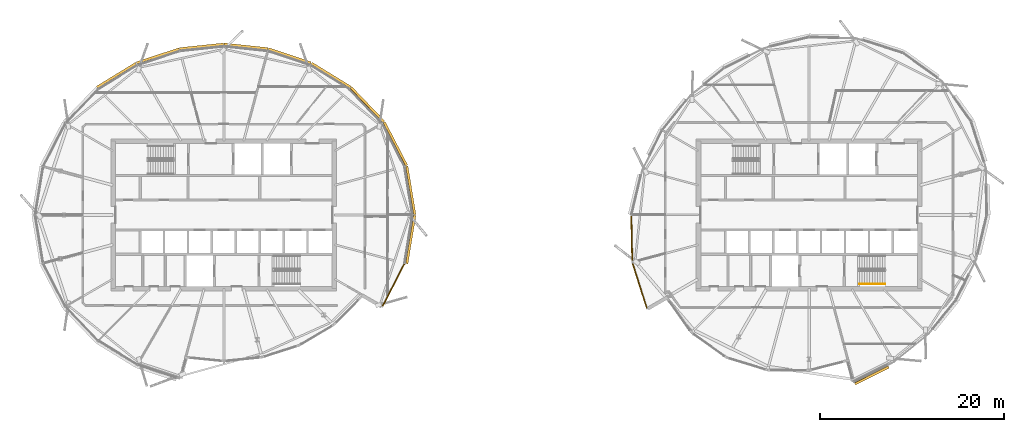
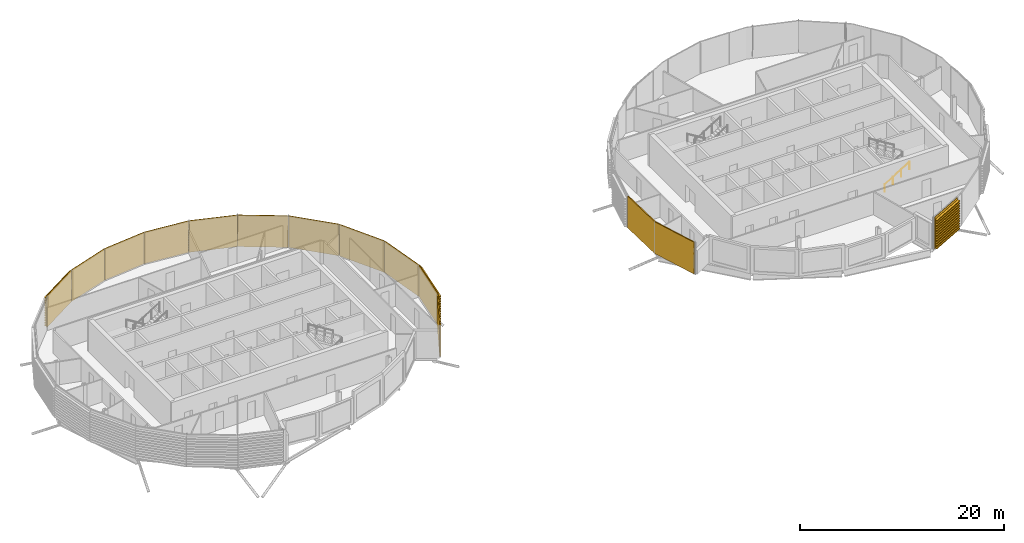
# One storey, part 31 of 33: 13 coverings, 1 railing.
"""IFC4 building model written with IfcOpenShell, lengths in metres."""

from ifc_helpers import new_model, si_unit, direction, frame, origin, origin_2d, place, context, subcontext, project, spatial, polyline, circle, outline, extrude, material, layer, layer_set, material_profile, profile_set, type_object, element, save


model = new_model("IFC4")

# Units and contexts
model_context = context("Model", 3, precision=1e-05, world=origin(), true_north=direction((0.0, 1.0)))
body_context = subcontext(model_context, "Body", "Model", "MODEL_VIEW")
ifc_project = project(units=[si_unit("LENGTHUNIT", "METRE"), si_unit("AREAUNIT", "SQUARE_METRE"), si_unit("VOLUMEUNIT", "CUBIC_METRE"), si_unit("PLANEANGLEUNIT", "RADIAN"), si_unit("MASSUNIT", "GRAM", prefix="KILO")], contexts=[model_context])

# Site, building, storey
site_placement = place(None, origin())
site = spatial("IfcSite", under=ifc_project, at=site_placement, CompositionType="ELEMENT")
building_placement = place(site_placement, origin())
building = spatial("IfcBuilding", under=site, at=building_placement, Name="Rimbun Link Towers", CompositionType="ELEMENT")
storey_placement = place(building_placement, frame((0.0, 0.0, 240.89990234375)))
storey = spatial("IfcBuildingStorey", under=building, at=storey_placement, Name="L59", CompositionType="ELEMENT", Elevation=240.89990234375)

# Coverings
ifc_material_1 = material(Name="Terracotta", Category="masonry")
ifc_layer = layer(ifc_material_1, 0.1201171875)
ifc_layer_set = layer_set([ifc_layer], Name="LINK PIER terracotta cladding 120")
covering_type_1 = type_object("IfcCoveringType", Name="LINK PIER terracotta cladding 120", PredefinedType="CLADDING", material=ifc_layer_set)
covering_1_placement = place(storey_placement, origin())
element("IfcCovering", 1, at=covering_1_placement, inside=storey, type_object=covering_type_1, Name="LINK PIER cladding", PredefinedType="CLADDING", context=body_context, shape_type="SweptSolid", body=[
    extrude(outline(polyline([(-12.20068359375, -5.2685546875), (-14.58447265625, -9.8759765625), (-14.47802734375, -9.93115234375), (-12.093994140625, -5.32373046875), (-12.20068359375, -5.2685546875)])), origin(), (0.0, 0.0, 1.0), 3.800048828125),
])
covering_2_placement = place(storey_placement, origin())
element("IfcCovering", 2, at=covering_2_placement, inside=storey, type_object=covering_type_1, Name="LINK PIER cladding", PredefinedType="CLADDING", context=body_context, shape_type="SweptSolid", body=[
    extrude(outline(polyline([(14.200927734375, -10.09814453125), (12.61962890625, -5.1259765625), (12.512451171875, -0.030029296875), (12.392333984375, -0.032470703125), (12.5, -5.145751953125), (14.086669921875, -10.134521484375), (14.200927734375, -10.09814453125)])), origin(), (0.0, 0.0, 1.0), 3.800048828125),
])

# Railing
ifc_material_2 = material(Name="Stainless steel grade 316", Category="steel")
railing_type = type_object("IfcRailingType", Name="Stair handrail", PredefinedType="HANDRAIL", material=ifc_material_2)
railing_placement = place(storey_placement, frame((37.199951171875, -7.5, 0.1728515625)))
element("IfcRailing", 3, at=railing_placement, inside=storey, type_object=railing_type, Name="L59 ST4 stair handrail 1", PredefinedType="HANDRAIL", context=body_context, shape_type="SweptSolid", body=[
    extrude(circle(Radius=0.02392578125, at=origin_2d()), frame((0.0, 0.0, 0.8759765625), z_axis=(0.851089632645, 0.0, 0.525020415988), x_axis=(0.0, 1.0, 0.0)), (0.0, 0.0, 1.0), 3.2900390625),
    extrude(circle(Radius=0.02099609375, at=origin_2d()), origin(), (0.0, 0.0, 1.0), 0.851806640625),
    extrude(circle(Radius=0.02099609375, at=origin_2d()), frame((0.933349609375, 0.0, 0.57568359375)), (0.0, 0.0, 1.0), 0.851806640625),
    extrude(circle(Radius=0.02099609375, at=origin_2d()), frame((1.86669921875, 0.0, 1.151611328125)), (0.0, 0.0, 1.0), 0.851806640625),
    extrude(circle(Radius=0.02099609375, at=origin_2d()), frame((2.800048828125, 0.0, 1.727294921875)), (0.0, 0.0, 1.0), 0.851806640625),
])

# Coverings
ifc_material_3 = material(Name="Terracotta", Category="masonry")
ifc_material_profile = material_profile(ifc_material_3, outline(polyline([(0.123046875, 0.0), (0.1630859375, 0.0), (0.1630859375, 0.10009765625), (0.423095703125, 0.10009765625), (0.423095703125, 0.219970703125), (0.1630859375, 0.219970703125), (0.1630859375, 0.39990234375), (0.423095703125, 0.39990234375), (0.423095703125, 0.52001953125), (0.1630859375, 0.52001953125), (0.1630859375, 0.699951171875), (0.423095703125, 0.699951171875), (0.423095703125, 0.820068359375), (0.1630859375, 0.820068359375), (0.1630859375, 1.0), (0.423095703125, 1.0), (0.423095703125, 1.1201171875), (0.1630859375, 1.1201171875), (0.1630859375, 1.300048828125), (0.423095703125, 1.300048828125), (0.423095703125, 1.419921875), (0.1630859375, 1.419921875), (0.1630859375, 1.60009765625), (0.423095703125, 1.60009765625), (0.423095703125, 1.719970703125), (0.1630859375, 1.719970703125), (0.1630859375, 1.89990234375), (0.423095703125, 1.89990234375), (0.423095703125, 2.02001953125), (0.1630859375, 2.02001953125), (0.1630859375, 2.199951171875), (0.423095703125, 2.199951171875), (0.423095703125, 2.320068359375), (0.1630859375, 2.320068359375), (0.1630859375, 2.5), (0.423095703125, 2.5), (0.423095703125, 2.6201171875), (0.1630859375, 2.6201171875), (0.1630859375, 2.800048828125), (0.423095703125, 2.800048828125), (0.423095703125, 2.919921875), (0.1630859375, 2.919921875), (0.1630859375, 3.10009765625), (0.423095703125, 3.10009765625), (0.423095703125, 3.219970703125), (0.1630859375, 3.219970703125), (0.1630859375, 3.39990234375), (0.423095703125, 3.39990234375), (0.423095703125, 3.52001953125), (0.1630859375, 3.52001953125), (0.1630859375, 3.800048828125), (0.123046875, 3.800048828125), (0.123046875, 0.0)])), Name="BAGUETTE 120X300")
ifc_profile_set = profile_set([ifc_material_profile], Name="Terracotta")
covering_type_2 = type_object("IfcCoveringType", Name="TERRACOTTA BAGUETTE 120X300 H3800", PredefinedType="CLADDING", material=ifc_profile_set)
covering_3_placement = place(storey_placement, frame((-12.186767578125, 5.241943359375, 0.0), z_axis=(0.162274641327, -0.986745631246, 0.0), x_axis=(0.986745631246, 0.162274641327, 0.0)))
element("IfcCovering", 4, at=covering_3_placement, inside=storey, type_object=covering_type_2, Name="TERRACOTTA BAGUETTE", PredefinedType="CLADDING", context=body_context, shape_type="SweptSolid", body=[
    extrude(outline(polyline([(0.123046875, 0.0), (0.1630859375, 0.0), (0.1630859375, 0.10009765625), (0.423095703125, 0.10009765625), (0.423095703125, 0.219970703125), (0.1630859375, 0.219970703125), (0.1630859375, 0.39990234375), (0.423095703125, 0.39990234375), (0.423095703125, 0.52001953125), (0.1630859375, 0.52001953125), (0.1630859375, 0.699951171875), (0.423095703125, 0.699951171875), (0.423095703125, 0.820068359375), (0.1630859375, 0.820068359375), (0.1630859375, 1.0), (0.423095703125, 1.0), (0.423095703125, 1.1201171875), (0.1630859375, 1.1201171875), (0.1630859375, 1.300048828125), (0.423095703125, 1.300048828125), (0.423095703125, 1.419921875), (0.1630859375, 1.419921875), (0.1630859375, 1.60009765625), (0.423095703125, 1.60009765625), (0.423095703125, 1.719970703125), (0.1630859375, 1.719970703125), (0.1630859375, 1.89990234375), (0.423095703125, 1.89990234375), (0.423095703125, 2.02001953125), (0.1630859375, 2.02001953125), (0.1630859375, 2.199951171875), (0.423095703125, 2.199951171875), (0.423095703125, 2.320068359375), (0.1630859375, 2.320068359375), (0.1630859375, 2.5), (0.423095703125, 2.5), (0.423095703125, 2.6201171875), (0.1630859375, 2.6201171875), (0.1630859375, 2.800048828125), (0.423095703125, 2.800048828125), (0.423095703125, 2.919921875), (0.1630859375, 2.919921875), (0.1630859375, 3.10009765625), (0.423095703125, 3.10009765625), (0.423095703125, 3.219970703125), (0.1630859375, 3.219970703125), (0.1630859375, 3.39990234375), (0.423095703125, 3.39990234375), (0.423095703125, 3.52001953125), (0.1630859375, 3.52001953125), (0.1630859375, 3.800048828125), (0.123046875, 3.800048828125), (0.123046875, 0.0)])), origin(), (0.0, 0.0, 1.0), 5.312255859375),
])
covering_4_placement = place(storey_placement, frame((-14.598388671875, 9.902587890625, 0.0), z_axis=(0.459564667383, -0.888144310624, 0.0), x_axis=(0.888144310624, 0.459564667383, 0.0)))
element("IfcCovering", 5, at=covering_4_placement, inside=storey, type_object=covering_type_2, Name="TERRACOTTA BAGUETTE", PredefinedType="CLADDING", context=body_context, shape_type="SweptSolid", body=[
    extrude(outline(polyline([(0.123046875, 0.0), (0.1630859375, 0.0), (0.1630859375, 0.10009765625), (0.423095703125, 0.10009765625), (0.423095703125, 0.219970703125), (0.1630859375, 0.219970703125), (0.1630859375, 0.39990234375), (0.423095703125, 0.39990234375), (0.423095703125, 0.52001953125), (0.1630859375, 0.52001953125), (0.1630859375, 0.699951171875), (0.423095703125, 0.699951171875), (0.423095703125, 0.820068359375), (0.1630859375, 0.820068359375), (0.1630859375, 1.0), (0.423095703125, 1.0), (0.423095703125, 1.1201171875), (0.1630859375, 1.1201171875), (0.1630859375, 1.300048828125), (0.423095703125, 1.300048828125), (0.423095703125, 1.419921875), (0.1630859375, 1.419921875), (0.1630859375, 1.60009765625), (0.423095703125, 1.60009765625), (0.423095703125, 1.719970703125), (0.1630859375, 1.719970703125), (0.1630859375, 1.89990234375), (0.423095703125, 1.89990234375), (0.423095703125, 2.02001953125), (0.1630859375, 2.02001953125), (0.1630859375, 2.199951171875), (0.423095703125, 2.199951171875), (0.423095703125, 2.320068359375), (0.1630859375, 2.320068359375), (0.1630859375, 2.5), (0.423095703125, 2.5), (0.423095703125, 2.6201171875), (0.1630859375, 2.6201171875), (0.1630859375, 2.800048828125), (0.423095703125, 2.800048828125), (0.423095703125, 2.919921875), (0.1630859375, 2.919921875), (0.1630859375, 3.10009765625), (0.423095703125, 3.10009765625), (0.423095703125, 3.219970703125), (0.1630859375, 3.219970703125), (0.1630859375, 3.39990234375), (0.423095703125, 3.39990234375), (0.423095703125, 3.52001953125), (0.1630859375, 3.52001953125), (0.1630859375, 3.800048828125), (0.123046875, 3.800048828125), (0.123046875, 0.0)])), origin(), (0.0, 0.0, 1.0), 5.24755859375),
])
covering_5_placement = place(storey_placement, frame((-18.146484375, 13.603515625, 0.0), z_axis=(0.692044974845, -0.721854384757, 0.0), x_axis=(0.721854384757, 0.692044974845, 0.0)))
element("IfcCovering", 6, at=covering_5_placement, inside=storey, type_object=covering_type_2, Name="TERRACOTTA BAGUETTE", PredefinedType="CLADDING", context=body_context, shape_type="SweptSolid", body=[
    extrude(outline(polyline([(0.123046875, 0.0), (0.1630859375, 0.0), (0.1630859375, 0.10009765625), (0.423095703125, 0.10009765625), (0.423095703125, 0.219970703125), (0.1630859375, 0.219970703125), (0.1630859375, 0.39990234375), (0.423095703125, 0.39990234375), (0.423095703125, 0.52001953125), (0.1630859375, 0.52001953125), (0.1630859375, 0.699951171875), (0.423095703125, 0.699951171875), (0.423095703125, 0.820068359375), (0.1630859375, 0.820068359375), (0.1630859375, 1.0), (0.423095703125, 1.0), (0.423095703125, 1.1201171875), (0.1630859375, 1.1201171875), (0.1630859375, 1.300048828125), (0.423095703125, 1.300048828125), (0.423095703125, 1.419921875), (0.1630859375, 1.419921875), (0.1630859375, 1.60009765625), (0.423095703125, 1.60009765625), (0.423095703125, 1.719970703125), (0.1630859375, 1.719970703125), (0.1630859375, 1.89990234375), (0.423095703125, 1.89990234375), (0.423095703125, 2.02001953125), (0.1630859375, 2.02001953125), (0.1630859375, 2.199951171875), (0.423095703125, 2.199951171875), (0.423095703125, 2.320068359375), (0.1630859375, 2.320068359375), (0.1630859375, 2.5), (0.423095703125, 2.5), (0.423095703125, 2.6201171875), (0.1630859375, 2.6201171875), (0.1630859375, 2.800048828125), (0.423095703125, 2.800048828125), (0.423095703125, 2.919921875), (0.1630859375, 2.919921875), (0.1630859375, 3.10009765625), (0.423095703125, 3.10009765625), (0.423095703125, 3.219970703125), (0.1630859375, 3.219970703125), (0.1630859375, 3.39990234375), (0.423095703125, 3.39990234375), (0.423095703125, 3.52001953125), (0.1630859375, 3.52001953125), (0.1630859375, 3.800048828125), (0.123046875, 3.800048828125), (0.123046875, 0.0)])), origin(), (0.0, 0.0, 1.0), 5.126953125),
])
covering_6_placement = place(storey_placement, frame((-22.391357421875, 16.209716796875, 0.0), z_axis=(0.852198064813, -0.52321932144, 0.0), x_axis=(0.52321932144, 0.852198064813, 0.0)))
element("IfcCovering", 7, at=covering_6_placement, inside=storey, type_object=covering_type_2, Name="TERRACOTTA BAGUETTE", PredefinedType="CLADDING", context=body_context, shape_type="SweptSolid", body=[
    extrude(outline(polyline([(0.123046875, 0.0), (0.1630859375, 0.0), (0.1630859375, 0.10009765625), (0.423095703125, 0.10009765625), (0.423095703125, 0.219970703125), (0.1630859375, 0.219970703125), (0.1630859375, 0.39990234375), (0.423095703125, 0.39990234375), (0.423095703125, 0.52001953125), (0.1630859375, 0.52001953125), (0.1630859375, 0.699951171875), (0.423095703125, 0.699951171875), (0.423095703125, 0.820068359375), (0.1630859375, 0.820068359375), (0.1630859375, 1.0), (0.423095703125, 1.0), (0.423095703125, 1.1201171875), (0.1630859375, 1.1201171875), (0.1630859375, 1.300048828125), (0.423095703125, 1.300048828125), (0.423095703125, 1.419921875), (0.1630859375, 1.419921875), (0.1630859375, 1.60009765625), (0.423095703125, 1.60009765625), (0.423095703125, 1.719970703125), (0.1630859375, 1.719970703125), (0.1630859375, 1.89990234375), (0.423095703125, 1.89990234375), (0.423095703125, 2.02001953125), (0.1630859375, 2.02001953125), (0.1630859375, 2.199951171875), (0.423095703125, 2.199951171875), (0.423095703125, 2.320068359375), (0.1630859375, 2.320068359375), (0.1630859375, 2.5), (0.423095703125, 2.5), (0.423095703125, 2.6201171875), (0.1630859375, 2.6201171875), (0.1630859375, 2.800048828125), (0.423095703125, 2.800048828125), (0.423095703125, 2.919921875), (0.1630859375, 2.919921875), (0.1630859375, 3.10009765625), (0.423095703125, 3.10009765625), (0.423095703125, 3.219970703125), (0.1630859375, 3.219970703125), (0.1630859375, 3.39990234375), (0.423095703125, 3.39990234375), (0.423095703125, 3.52001953125), (0.1630859375, 3.52001953125), (0.1630859375, 3.800048828125), (0.123046875, 3.800048828125), (0.123046875, 0.0)])), origin(), (0.0, 0.0, 1.0), 4.981201171875),
])
covering_7_placement = place(storey_placement, frame((-26.99755859375, 17.736328125, 0.0), z_axis=(0.949225260751, -0.314597209703, 0.0), x_axis=(0.314597209703, 0.949225260751, 0.0)))
element("IfcCovering", 8, at=covering_7_placement, inside=storey, type_object=covering_type_2, Name="TERRACOTTA BAGUETTE", PredefinedType="CLADDING", context=body_context, shape_type="SweptSolid", body=[
    extrude(outline(polyline([(0.123046875, 0.0), (0.1630859375, 0.0), (0.1630859375, 0.10009765625), (0.423095703125, 0.10009765625), (0.423095703125, 0.219970703125), (0.1630859375, 0.219970703125), (0.1630859375, 0.39990234375), (0.423095703125, 0.39990234375), (0.423095703125, 0.52001953125), (0.1630859375, 0.52001953125), (0.1630859375, 0.699951171875), (0.423095703125, 0.699951171875), (0.423095703125, 0.820068359375), (0.1630859375, 0.820068359375), (0.1630859375, 1.0), (0.423095703125, 1.0), (0.423095703125, 1.1201171875), (0.1630859375, 1.1201171875), (0.1630859375, 1.300048828125), (0.423095703125, 1.300048828125), (0.423095703125, 1.419921875), (0.1630859375, 1.419921875), (0.1630859375, 1.60009765625), (0.423095703125, 1.60009765625), (0.423095703125, 1.719970703125), (0.1630859375, 1.719970703125), (0.1630859375, 1.89990234375), (0.423095703125, 1.89990234375), (0.423095703125, 2.02001953125), (0.1630859375, 2.02001953125), (0.1630859375, 2.199951171875), (0.423095703125, 2.199951171875), (0.423095703125, 2.320068359375), (0.1630859375, 2.320068359375), (0.1630859375, 2.5), (0.423095703125, 2.5), (0.423095703125, 2.6201171875), (0.1630859375, 2.6201171875), (0.1630859375, 2.800048828125), (0.423095703125, 2.800048828125), (0.423095703125, 2.919921875), (0.1630859375, 2.919921875), (0.1630859375, 3.10009765625), (0.423095703125, 3.10009765625), (0.423095703125, 3.219970703125), (0.1630859375, 3.219970703125), (0.1630859375, 3.39990234375), (0.423095703125, 3.39990234375), (0.423095703125, 3.52001953125), (0.1630859375, 3.52001953125), (0.1630859375, 3.800048828125), (0.123046875, 3.800048828125), (0.123046875, 0.0)])), origin(), (0.0, 0.0, 1.0), 4.8525390625),
])
for number, where, z_axis, x_axis, name in (
    (9, (-31.75, 18.23681640625, 0.0), (0.994500412844, -0.104732654183, 0.0), (0.104732654183, 0.994500412844, 0.0), "TERRACOTTA BAGUETTE"),
    (10, (-36.50244140625, 17.736328125, 0.0), (0.994500412844, 0.104732654183, 0.0), (-0.104732654183, 0.994500412844, 0.0), "TERRACOTTA BAGUETTE"),
):
    element("IfcCovering", number, at=place(storey_placement, frame(where, z_axis=z_axis, x_axis=x_axis)), inside=storey, type_object=covering_type_2, Name=name, PredefinedType="CLADDING", context=body_context, shape_type="SweptSolid", body=[
        extrude(outline(polyline([(0.123046875, 0.0), (0.1630859375, 0.0), (0.1630859375, 0.10009765625), (0.423095703125, 0.10009765625), (0.423095703125, 0.219970703125), (0.1630859375, 0.219970703125), (0.1630859375, 0.39990234375), (0.423095703125, 0.39990234375), (0.423095703125, 0.52001953125), (0.1630859375, 0.52001953125), (0.1630859375, 0.699951171875), (0.423095703125, 0.699951171875), (0.423095703125, 0.820068359375), (0.1630859375, 0.820068359375), (0.1630859375, 1.0), (0.423095703125, 1.0), (0.423095703125, 1.1201171875), (0.1630859375, 1.1201171875), (0.1630859375, 1.300048828125), (0.423095703125, 1.300048828125), (0.423095703125, 1.419921875), (0.1630859375, 1.419921875), (0.1630859375, 1.60009765625), (0.423095703125, 1.60009765625), (0.423095703125, 1.719970703125), (0.1630859375, 1.719970703125), (0.1630859375, 1.89990234375), (0.423095703125, 1.89990234375), (0.423095703125, 2.02001953125), (0.1630859375, 2.02001953125), (0.1630859375, 2.199951171875), (0.423095703125, 2.199951171875), (0.423095703125, 2.320068359375), (0.1630859375, 2.320068359375), (0.1630859375, 2.5), (0.423095703125, 2.5), (0.423095703125, 2.6201171875), (0.1630859375, 2.6201171875), (0.1630859375, 2.800048828125), (0.423095703125, 2.800048828125), (0.423095703125, 2.919921875), (0.1630859375, 2.919921875), (0.1630859375, 3.10009765625), (0.423095703125, 3.10009765625), (0.423095703125, 3.219970703125), (0.1630859375, 3.219970703125), (0.1630859375, 3.39990234375), (0.423095703125, 3.39990234375), (0.423095703125, 3.52001953125), (0.1630859375, 3.52001953125), (0.1630859375, 3.800048828125), (0.123046875, 3.800048828125), (0.123046875, 0.0)])), origin(), (0.0, 0.0, 1.0), 4.77880859375),
    ])
covering_8_placement = place(storey_placement, frame((-41.108642578125, 16.209716796875, 0.0), z_axis=(0.949225260751, 0.314597209703, 0.0), x_axis=(-0.314597209703, 0.949225260751, 0.0)))
element("IfcCovering", 11, at=covering_8_placement, inside=storey, type_object=covering_type_2, Name="TERRACOTTA BAGUETTE", PredefinedType="CLADDING", context=body_context, shape_type="SweptSolid", body=[
    extrude(outline(polyline([(0.123046875, 0.0), (0.1630859375, 0.0), (0.1630859375, 0.10009765625), (0.423095703125, 0.10009765625), (0.423095703125, 0.219970703125), (0.1630859375, 0.219970703125), (0.1630859375, 0.39990234375), (0.423095703125, 0.39990234375), (0.423095703125, 0.52001953125), (0.1630859375, 0.52001953125), (0.1630859375, 0.699951171875), (0.423095703125, 0.699951171875), (0.423095703125, 0.820068359375), (0.1630859375, 0.820068359375), (0.1630859375, 1.0), (0.423095703125, 1.0), (0.423095703125, 1.1201171875), (0.1630859375, 1.1201171875), (0.1630859375, 1.300048828125), (0.423095703125, 1.300048828125), (0.423095703125, 1.419921875), (0.1630859375, 1.419921875), (0.1630859375, 1.60009765625), (0.423095703125, 1.60009765625), (0.423095703125, 1.719970703125), (0.1630859375, 1.719970703125), (0.1630859375, 1.89990234375), (0.423095703125, 1.89990234375), (0.423095703125, 2.02001953125), (0.1630859375, 2.02001953125), (0.1630859375, 2.199951171875), (0.423095703125, 2.199951171875), (0.423095703125, 2.320068359375), (0.1630859375, 2.320068359375), (0.1630859375, 2.5), (0.423095703125, 2.5), (0.423095703125, 2.6201171875), (0.1630859375, 2.6201171875), (0.1630859375, 2.800048828125), (0.423095703125, 2.800048828125), (0.423095703125, 2.919921875), (0.1630859375, 2.919921875), (0.1630859375, 3.10009765625), (0.423095703125, 3.10009765625), (0.423095703125, 3.219970703125), (0.1630859375, 3.219970703125), (0.1630859375, 3.39990234375), (0.423095703125, 3.39990234375), (0.423095703125, 3.52001953125), (0.1630859375, 3.52001953125), (0.1630859375, 3.800048828125), (0.123046875, 3.800048828125), (0.123046875, 0.0)])), origin(), (0.0, 0.0, 1.0), 4.8525390625),
])
covering_9_placement = place(storey_placement, frame((-45.353515625, 13.603515625, 0.0), z_axis=(0.852198064813, 0.52321932144, 0.0), x_axis=(-0.52321932144, 0.852198064813, 0.0)))
element("IfcCovering", 12, at=covering_9_placement, inside=storey, type_object=covering_type_2, Name="TERRACOTTA BAGUETTE", PredefinedType="CLADDING", context=body_context, shape_type="SweptSolid", body=[
    extrude(outline(polyline([(0.123046875, 0.0), (0.1630859375, 0.0), (0.1630859375, 0.10009765625), (0.423095703125, 0.10009765625), (0.423095703125, 0.219970703125), (0.1630859375, 0.219970703125), (0.1630859375, 0.39990234375), (0.423095703125, 0.39990234375), (0.423095703125, 0.52001953125), (0.1630859375, 0.52001953125), (0.1630859375, 0.699951171875), (0.423095703125, 0.699951171875), (0.423095703125, 0.820068359375), (0.1630859375, 0.820068359375), (0.1630859375, 1.0), (0.423095703125, 1.0), (0.423095703125, 1.1201171875), (0.1630859375, 1.1201171875), (0.1630859375, 1.300048828125), (0.423095703125, 1.300048828125), (0.423095703125, 1.419921875), (0.1630859375, 1.419921875), (0.1630859375, 1.60009765625), (0.423095703125, 1.60009765625), (0.423095703125, 1.719970703125), (0.1630859375, 1.719970703125), (0.1630859375, 1.89990234375), (0.423095703125, 1.89990234375), (0.423095703125, 2.02001953125), (0.1630859375, 2.02001953125), (0.1630859375, 2.199951171875), (0.423095703125, 2.199951171875), (0.423095703125, 2.320068359375), (0.1630859375, 2.320068359375), (0.1630859375, 2.5), (0.423095703125, 2.5), (0.423095703125, 2.6201171875), (0.1630859375, 2.6201171875), (0.1630859375, 2.800048828125), (0.423095703125, 2.800048828125), (0.423095703125, 2.919921875), (0.1630859375, 2.919921875), (0.1630859375, 3.10009765625), (0.423095703125, 3.10009765625), (0.423095703125, 3.219970703125), (0.1630859375, 3.219970703125), (0.1630859375, 3.39990234375), (0.423095703125, 3.39990234375), (0.423095703125, 3.52001953125), (0.1630859375, 3.52001953125), (0.1630859375, 3.800048828125), (0.123046875, 3.800048828125), (0.123046875, 0.0)])), origin(), (0.0, 0.0, 1.0), 4.981201171875),
])
covering_10_placement = place(storey_placement, frame((-11.32470703125, 0.0, 0.0), z_axis=(-0.162274641327, -0.986745631246, 0.0), x_axis=(0.986745631246, -0.162274641327, 0.0)))
element("IfcCovering", 13, at=covering_10_placement, inside=storey, type_object=covering_type_2, Name="TERRACOTTA BAGUETTE", PredefinedType="CLADDING", context=body_context, shape_type="SweptSolid", body=[
    extrude(outline(polyline([(0.123046875, 0.0), (0.1630859375, 0.0), (0.1630859375, 0.10009765625), (0.423095703125, 0.10009765625), (0.423095703125, 0.219970703125), (0.1630859375, 0.219970703125), (0.1630859375, 0.39990234375), (0.423095703125, 0.39990234375), (0.423095703125, 0.52001953125), (0.1630859375, 0.52001953125), (0.1630859375, 0.699951171875), (0.423095703125, 0.699951171875), (0.423095703125, 0.820068359375), (0.1630859375, 0.820068359375), (0.1630859375, 1.0), (0.423095703125, 1.0), (0.423095703125, 1.1201171875), (0.1630859375, 1.1201171875), (0.1630859375, 1.300048828125), (0.423095703125, 1.300048828125), (0.423095703125, 1.419921875), (0.1630859375, 1.419921875), (0.1630859375, 1.60009765625), (0.423095703125, 1.60009765625), (0.423095703125, 1.719970703125), (0.1630859375, 1.719970703125), (0.1630859375, 1.89990234375), (0.423095703125, 1.89990234375), (0.423095703125, 2.02001953125), (0.1630859375, 2.02001953125), (0.1630859375, 2.199951171875), (0.423095703125, 2.199951171875), (0.423095703125, 2.320068359375), (0.1630859375, 2.320068359375), (0.1630859375, 2.5), (0.423095703125, 2.5), (0.423095703125, 2.6201171875), (0.1630859375, 2.6201171875), (0.1630859375, 2.800048828125), (0.423095703125, 2.800048828125), (0.423095703125, 2.919921875), (0.1630859375, 2.919921875), (0.1630859375, 3.10009765625), (0.423095703125, 3.10009765625), (0.423095703125, 3.219970703125), (0.1630859375, 3.219970703125), (0.1630859375, 3.39990234375), (0.423095703125, 3.39990234375), (0.423095703125, 3.52001953125), (0.1630859375, 3.52001953125), (0.1630859375, 3.800048828125), (0.123046875, 3.800048828125), (0.123046875, 0.0)])), origin(), (0.0, 0.0, 1.0), 5.312255859375),
])
covering_11_placement = place(storey_placement, frame((40.2607421875, -16.238525390625, 0.0), z_axis=(-0.893652230904, -0.448760170024, 0.0), x_axis=(0.448760170024, -0.893652230904, 0.0)))
element("IfcCovering", 14, at=covering_11_placement, inside=storey, type_object=covering_type_2, Name="TERRACOTTA BAGUETTE", PredefinedType="CLADDING", context=body_context, shape_type="SweptSolid", body=[
    extrude(outline(polyline([(0.123046875, 0.0), (0.1630859375, 0.0), (0.1630859375, 0.10009765625), (0.423095703125, 0.10009765625), (0.423095703125, 0.219970703125), (0.1630859375, 0.219970703125), (0.1630859375, 0.39990234375), (0.423095703125, 0.39990234375), (0.423095703125, 0.52001953125), (0.1630859375, 0.52001953125), (0.1630859375, 0.699951171875), (0.423095703125, 0.699951171875), (0.423095703125, 0.820068359375), (0.1630859375, 0.820068359375), (0.1630859375, 1.0), (0.423095703125, 1.0), (0.423095703125, 1.1201171875), (0.1630859375, 1.1201171875), (0.1630859375, 1.300048828125), (0.423095703125, 1.300048828125), (0.423095703125, 1.419921875), (0.1630859375, 1.419921875), (0.1630859375, 1.60009765625), (0.423095703125, 1.60009765625), (0.423095703125, 1.719970703125), (0.1630859375, 1.719970703125), (0.1630859375, 1.89990234375), (0.423095703125, 1.89990234375), (0.423095703125, 2.02001953125), (0.1630859375, 2.02001953125), (0.1630859375, 2.199951171875), (0.423095703125, 2.199951171875), (0.423095703125, 2.320068359375), (0.1630859375, 2.320068359375), (0.1630859375, 2.5), (0.423095703125, 2.5), (0.423095703125, 2.6201171875), (0.1630859375, 2.6201171875), (0.1630859375, 2.800048828125), (0.423095703125, 2.800048828125), (0.423095703125, 2.919921875), (0.1630859375, 2.919921875), (0.1630859375, 3.10009765625), (0.423095703125, 3.10009765625), (0.423095703125, 3.219970703125), (0.1630859375, 3.219970703125), (0.1630859375, 3.39990234375), (0.423095703125, 3.39990234375), (0.423095703125, 3.52001953125), (0.1630859375, 3.52001953125), (0.1630859375, 3.800048828125), (0.123046875, 3.800048828125), (0.123046875, 0.0)])), origin(), (0.0, 0.0, 1.0), 4.1025390625),
])

save(model, "model.ifc")
